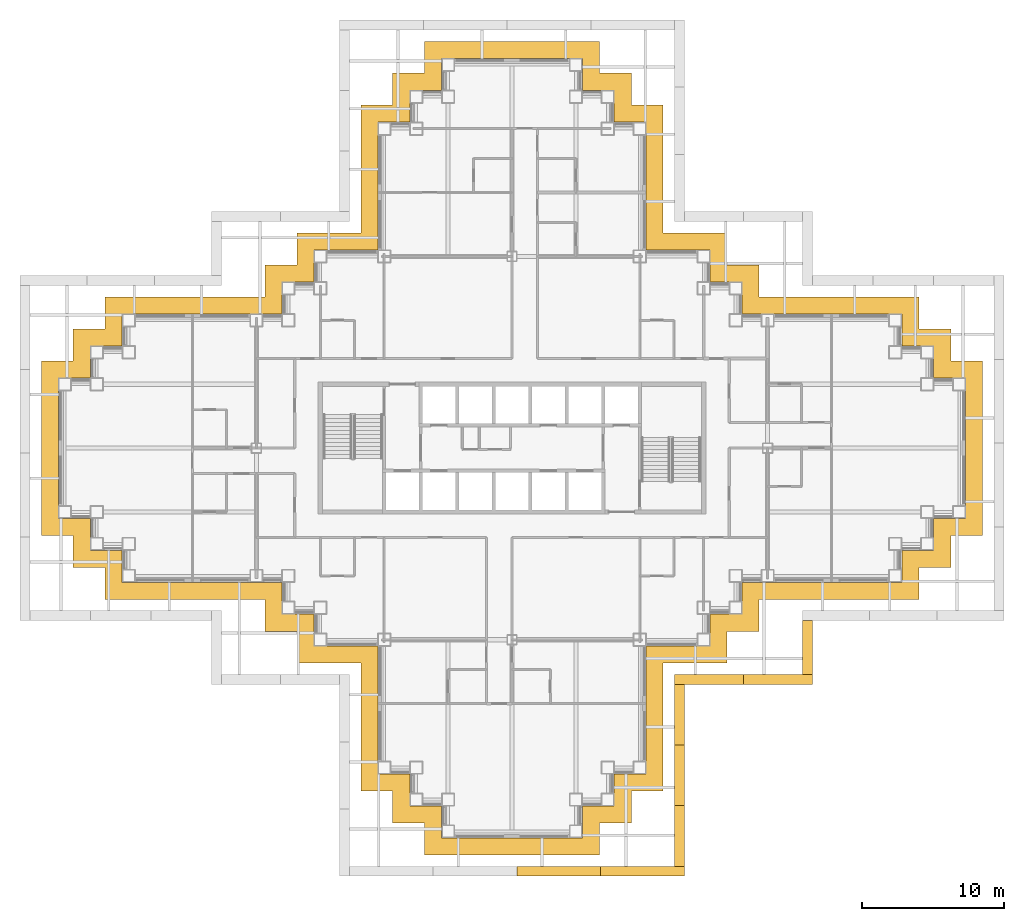
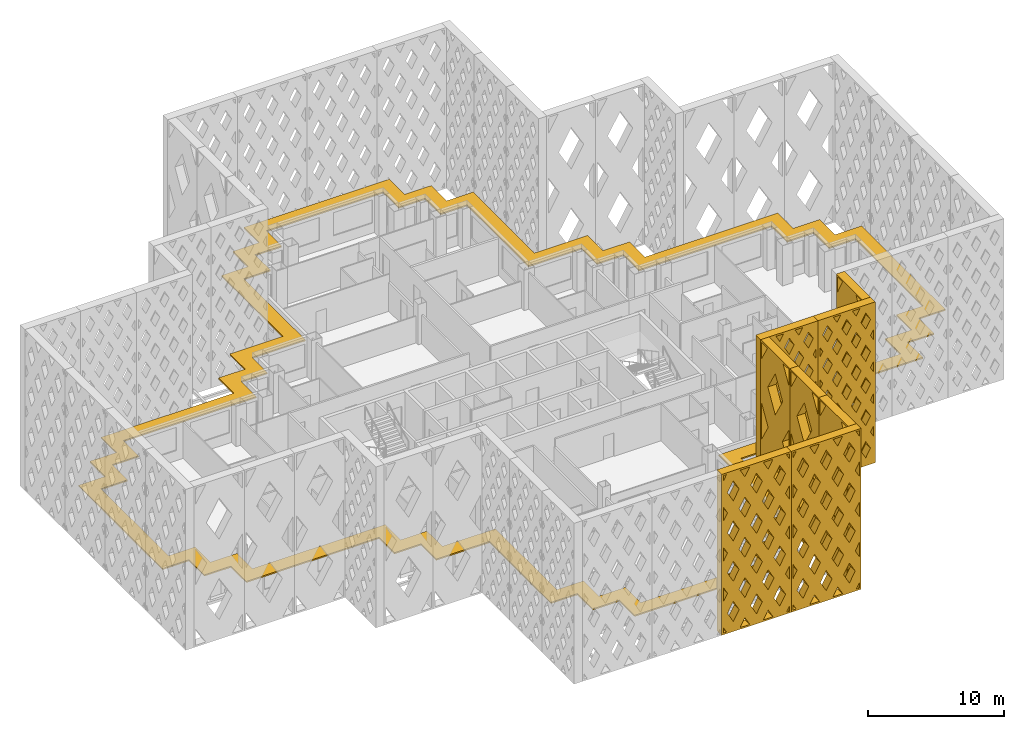
# One storey, part 15 of 21: 9 shading devices.
"""IFC4 building model written with IfcOpenShell, lengths in metres."""

from ifc_helpers import new_model, si_unit, direction, frame, origin, place, context, subcontext, project, spatial, polyline, outline, extrude, material, layer, layer_set, type_object, element, save


model = new_model("IFC4")

# Units and contexts
model_context = context("Model", 3, precision=1e-05, world=origin(), true_north=direction((0.0, 1.0)))
body_context = subcontext(model_context, "Body", "Model", "MODEL_VIEW")
ifc_project = project(units=[si_unit("LENGTHUNIT", "METRE"), si_unit("AREAUNIT", "SQUARE_METRE"), si_unit("VOLUMEUNIT", "CUBIC_METRE"), si_unit("PLANEANGLEUNIT", "RADIAN"), si_unit("MASSUNIT", "GRAM", prefix="KILO")], contexts=[model_context])

# Site, building, storey
site_placement = place(None, origin())
site = spatial("IfcSite", under=ifc_project, at=site_placement, CompositionType="ELEMENT")
building_placement = place(site_placement, origin())
building = spatial("IfcBuilding", under=site, at=building_placement, Name="Caravel Reach Hotel and Residences", CompositionType="ELEMENT")
storey_placement = place(building_placement, frame((0.0, 0.0, 115.199951171875)))
storey = spatial("IfcBuildingStorey", under=building, at=storey_placement, Name="L28", CompositionType="ELEMENT", Elevation=115.199951171875)

# Shading devices
ifc_material_1 = material(Name="Black powder-coated aluminium", Category="aluminium")
shading_device_type_1 = type_object("IfcShadingDeviceType", Name="Diamond lattice screen panel 3800 x 14400", PredefinedType="USERDEFINED", material=ifc_material_1)
shading_device_1_placement = place(storey_placement, frame((51.949951171875, 11.050048828125, 0.0), z_axis=(1.0, 0.0, 0.0), x_axis=(0.0, 1.0, 0.0)))
element("IfcShadingDevice", 1, at=shading_device_1_placement, inside=storey, type_object=shading_device_type_1, Name="Lattice screen L28-L31 5.1", ObjectType="SCREEN", PredefinedType="USERDEFINED", context=body_context, shape_type="SweptSolid", body=[
    extrude(outline(polyline([(0.0, 0.0), (3.800048828125, 0.0), (3.800048828125, 14.39990234375), (0.0, 14.39990234375), (0.0, 0.0)]), holes=[polyline([(0.9013671875, 0.14990234375), (0.14990234375, 1.573486328125), (0.14990234375, 0.14990234375), (0.9013671875, 0.14990234375)]), polyline([(0.98046875, 7.199951171875), (0.14990234375, 8.7734375), (0.14990234375, 5.62646484375), (0.98046875, 7.199951171875)]), polyline([(0.14990234375, 12.826416015625), (0.9013671875, 14.25), (0.14990234375, 14.25), (0.14990234375, 12.826416015625)]), polyline([(1.89990234375, 5.457763671875), (0.91943359375, 3.60009765625), (1.89990234375, 1.7421875), (2.88037109375, 3.60009765625), (1.89990234375, 5.457763671875)]), polyline([(1.89990234375, 12.65771484375), (0.91943359375, 10.800048828125), (1.89990234375, 8.9423828125), (2.88037109375, 10.800048828125), (1.89990234375, 12.65771484375)]), polyline([(3.64990234375, 1.573486328125), (2.898681640625, 0.14990234375), (3.64990234375, 0.14990234375), (3.64990234375, 1.573486328125)]), polyline([(2.819580078125, 7.199951171875), (3.64990234375, 5.62646484375), (3.64990234375, 8.7734375), (2.819580078125, 7.199951171875)]), polyline([(2.898681640625, 14.25), (3.64990234375, 12.826416015625), (3.64990234375, 14.25), (2.898681640625, 14.25)])]), origin(), (0.0, 0.0, 1.0), 0.699951171875),
])
ifc_material_2 = material(Name="Black powder-coated aluminium", Category="aluminium")
shading_device_type_2 = type_object("IfcShadingDeviceType", Name="Diamond lattice screen panel 4267 x 14400", PredefinedType="USERDEFINED", material=ifc_material_2)
for number, where, z_axis, x_axis, name in (
    (2, (42.949951171875, -2.449951171875, 0.0), (1.0, 0.0, 0.0), (0.0, 1.0, 0.0), "Lattice screen L28-L31 3.1"),
    (3, (42.949951171875, 1.816650390625, 0.0), (1.0, 0.0, 0.0), (0.0, 1.0, 0.0), "Lattice screen L28-L31 3.2"),
    (4, (42.949951171875, 6.083251953125, 0.0), (1.0, 0.0, 0.0), (0.0, 1.0, 0.0), "Lattice screen L28-L31 3.3"),
):
    element("IfcShadingDevice", number, at=place(storey_placement, frame(where, z_axis=z_axis, x_axis=x_axis)), inside=storey, type_object=shading_device_type_2, Name=name, ObjectType="SCREEN", PredefinedType="USERDEFINED", context=body_context, shape_type="SweptSolid", body=[
        extrude(outline(polyline([(0.0, 0.0), (4.2666015625, 0.0), (4.2666015625, 14.39990234375), (0.0, 14.39990234375), (0.0, 0.0)]), holes=[polyline([(1.003662109375, 0.14990234375), (0.14990234375, 1.590576171875), (0.14990234375, 0.14990234375), (1.003662109375, 0.14990234375)]), polyline([(1.092529296875, 7.199951171875), (0.14990234375, 8.790771484375), (0.14990234375, 5.609375), (1.092529296875, 7.199951171875)]), polyline([(0.14990234375, 12.809326171875), (1.003662109375, 14.25), (0.14990234375, 14.25), (0.14990234375, 12.809326171875)]), polyline([(2.13330078125, 5.44384765625), (1.040771484375, 3.60009765625), (2.13330078125, 1.756103515625), (3.225830078125, 3.60009765625), (2.13330078125, 5.44384765625)]), polyline([(2.13330078125, 12.643798828125), (1.040771484375, 10.800048828125), (2.13330078125, 8.956298828125), (3.225830078125, 10.800048828125), (2.13330078125, 12.643798828125)]), polyline([(4.11669921875, 1.590576171875), (3.262939453125, 0.14990234375), (4.11669921875, 0.14990234375), (4.11669921875, 1.590576171875)]), polyline([(3.174072265625, 7.199951171875), (4.11669921875, 5.609375), (4.11669921875, 8.790771484375), (3.174072265625, 7.199951171875)]), polyline([(3.262939453125, 14.25), (4.11669921875, 12.809326171875), (4.11669921875, 14.25), (3.262939453125, 14.25)])]), origin(), (0.0, 0.0, 1.0), 0.699951171875),
    ])
ifc_material_3 = material(Name="Black powder-coated aluminium", Category="aluminium")
shading_device_type_3 = type_object("IfcShadingDeviceType", Name="Diamond lattice screen panel 4850 x 14400", PredefinedType="USERDEFINED", material=ifc_material_3)
shading_device_2_placement = place(storey_placement, frame((42.949951171875, 11.050048828125, 0.0), z_axis=(0.0, -1.0, 0.0), x_axis=(1.0, 0.0, 0.0)))
element("IfcShadingDevice", 5, at=shading_device_2_placement, inside=storey, type_object=shading_device_type_3, Name="Lattice screen L28-L31 4.1", ObjectType="SCREEN", PredefinedType="USERDEFINED", context=body_context, shape_type="SweptSolid", body=[
    extrude(outline(polyline([(0.0, 0.0), (4.85009765625, 0.0), (4.85009765625, 14.39990234375), (0.0, 14.39990234375), (0.0, 0.0)]), holes=[polyline([(0.408447265625, 2.8798828125), (0.14990234375, 3.34033203125), (0.14990234375, 2.419677734375), (0.408447265625, 2.8798828125)]), polyline([(0.408447265625, 5.760009765625), (0.14990234375, 6.22021484375), (0.14990234375, 5.2998046875), (0.408447265625, 5.760009765625)]), polyline([(0.408447265625, 8.639892578125), (0.14990234375, 9.100341796875), (0.14990234375, 8.1796875), (0.408447265625, 8.639892578125)]), polyline([(0.408447265625, 11.52001953125), (0.14990234375, 11.980224609375), (0.14990234375, 11.059814453125), (0.408447265625, 11.52001953125)]), polyline([(0.808349609375, 2.16748046875), (0.39990234375, 1.43994140625), (0.808349609375, 0.712646484375), (1.216796875, 1.43994140625), (0.808349609375, 2.16748046875)]), polyline([(0.808349609375, 5.04736328125), (0.39990234375, 4.320068359375), (0.808349609375, 3.592529296875), (1.216796875, 4.320068359375), (0.808349609375, 5.04736328125)]), polyline([(0.808349609375, 7.927490234375), (0.39990234375, 7.199951171875), (0.808349609375, 6.47265625), (1.216796875, 7.199951171875), (0.808349609375, 7.927490234375)]), polyline([(0.808349609375, 10.807373046875), (0.39990234375, 10.080078125), (0.808349609375, 9.3525390625), (1.216796875, 10.080078125), (0.808349609375, 10.807373046875)]), polyline([(0.808349609375, 13.6875), (0.39990234375, 12.9599609375), (0.808349609375, 12.232421875), (1.216796875, 12.9599609375), (0.808349609375, 13.6875)]), polyline([(1.61669921875, 0.7275390625), (1.29248046875, 0.14990234375), (1.94091796875, 0.14990234375), (1.61669921875, 0.7275390625)]), polyline([(1.61669921875, 3.607421875), (1.208251953125, 2.8798828125), (1.61669921875, 2.152587890625), (2.02490234375, 2.8798828125), (1.61669921875, 3.607421875)]), polyline([(1.61669921875, 6.487548828125), (1.208251953125, 5.760009765625), (1.61669921875, 5.032470703125), (2.02490234375, 5.760009765625), (1.61669921875, 6.487548828125)]), polyline([(1.61669921875, 9.367431640625), (1.208251953125, 8.639892578125), (1.61669921875, 7.91259765625), (2.02490234375, 8.639892578125), (1.61669921875, 9.367431640625)]), polyline([(1.61669921875, 12.24755859375), (1.208251953125, 11.52001953125), (1.61669921875, 10.79248046875), (2.02490234375, 11.52001953125), (1.61669921875, 12.24755859375)]), polyline([(1.61669921875, 13.672607421875), (1.94091796875, 14.25), (1.29248046875, 14.25), (1.61669921875, 13.672607421875)]), polyline([(2.425048828125, 2.16748046875), (2.0166015625, 1.43994140625), (2.425048828125, 0.712646484375), (2.833251953125, 1.43994140625), (2.425048828125, 2.16748046875)]), polyline([(2.425048828125, 5.04736328125), (2.0166015625, 4.320068359375), (2.425048828125, 3.592529296875), (2.833251953125, 4.320068359375), (2.425048828125, 5.04736328125)]), polyline([(2.425048828125, 7.927490234375), (2.0166015625, 7.199951171875), (2.425048828125, 6.47265625), (2.833251953125, 7.199951171875), (2.425048828125, 7.927490234375)]), polyline([(2.425048828125, 10.807373046875), (2.0166015625, 10.080078125), (2.425048828125, 9.3525390625), (2.833251953125, 10.080078125), (2.425048828125, 10.807373046875)]), polyline([(2.425048828125, 13.6875), (2.0166015625, 12.9599609375), (2.425048828125, 12.232421875), (2.833251953125, 12.9599609375), (2.425048828125, 13.6875)]), polyline([(3.2333984375, 0.7275390625), (2.9091796875, 0.14990234375), (3.557373046875, 0.14990234375), (3.2333984375, 0.7275390625)]), polyline([(3.2333984375, 3.607421875), (2.824951171875, 2.8798828125), (3.2333984375, 2.152587890625), (3.6416015625, 2.8798828125), (3.2333984375, 3.607421875)]), polyline([(3.2333984375, 6.487548828125), (2.824951171875, 5.760009765625), (3.2333984375, 5.032470703125), (3.6416015625, 5.760009765625), (3.2333984375, 6.487548828125)]), polyline([(3.2333984375, 9.367431640625), (2.824951171875, 8.639892578125), (3.2333984375, 7.91259765625), (3.6416015625, 8.639892578125), (3.2333984375, 9.367431640625)]), polyline([(3.2333984375, 12.24755859375), (2.824951171875, 11.52001953125), (3.2333984375, 10.79248046875), (3.6416015625, 11.52001953125), (3.2333984375, 12.24755859375)]), polyline([(3.2333984375, 13.672607421875), (3.557373046875, 14.25), (2.9091796875, 14.25), (3.2333984375, 13.672607421875)]), polyline([(4.041748046875, 2.16748046875), (3.63330078125, 1.43994140625), (4.041748046875, 0.712646484375), (4.449951171875, 1.43994140625), (4.041748046875, 2.16748046875)]), polyline([(4.041748046875, 5.04736328125), (3.63330078125, 4.320068359375), (4.041748046875, 3.592529296875), (4.449951171875, 4.320068359375), (4.041748046875, 5.04736328125)]), polyline([(4.041748046875, 7.927490234375), (3.63330078125, 7.199951171875), (4.041748046875, 6.47265625), (4.449951171875, 7.199951171875), (4.041748046875, 7.927490234375)]), polyline([(4.041748046875, 10.807373046875), (3.63330078125, 10.080078125), (4.041748046875, 9.3525390625), (4.449951171875, 10.080078125), (4.041748046875, 10.807373046875)]), polyline([(4.041748046875, 13.6875), (3.63330078125, 12.9599609375), (4.041748046875, 12.232421875), (4.449951171875, 12.9599609375), (4.041748046875, 13.6875)]), polyline([(4.441650390625, 2.8798828125), (4.699951171875, 2.419677734375), (4.699951171875, 3.34033203125), (4.441650390625, 2.8798828125)]), polyline([(4.441650390625, 5.760009765625), (4.699951171875, 5.2998046875), (4.699951171875, 6.22021484375), (4.441650390625, 5.760009765625)]), polyline([(4.441650390625, 8.639892578125), (4.699951171875, 8.1796875), (4.699951171875, 9.100341796875), (4.441650390625, 8.639892578125)]), polyline([(4.441650390625, 11.52001953125), (4.699951171875, 11.059814453125), (4.699951171875, 11.980224609375), (4.441650390625, 11.52001953125)])]), origin(), (0.0, 0.0, 1.0), 0.699951171875),
])
shading_device_3_placement = place(storey_placement, frame((47.800048828125, 11.050048828125, 0.0), z_axis=(0.0, -1.0, 0.0), x_axis=(1.0, 0.0, 0.0)))
element("IfcShadingDevice", 6, at=shading_device_3_placement, inside=storey, type_object=shading_device_type_3, Name="Lattice screen L28-L31 4.2", ObjectType="SCREEN", PredefinedType="USERDEFINED", context=body_context, shape_type="SweptSolid", body=[
    extrude(outline(polyline([(0.0, 0.0), (4.85009765625, 0.0), (4.85009765625, 14.39990234375), (0.0, 14.39990234375), (0.0, 0.0)]), holes=[polyline([(0.408447265625, 2.8798828125), (0.14990234375, 3.34033203125), (0.14990234375, 2.419677734375), (0.408447265625, 2.8798828125)]), polyline([(0.408447265625, 5.760009765625), (0.14990234375, 6.22021484375), (0.14990234375, 5.2998046875), (0.408447265625, 5.760009765625)]), polyline([(0.408447265625, 8.639892578125), (0.14990234375, 9.100341796875), (0.14990234375, 8.1796875), (0.408447265625, 8.639892578125)]), polyline([(0.408447265625, 11.52001953125), (0.14990234375, 11.980224609375), (0.14990234375, 11.059814453125), (0.408447265625, 11.52001953125)]), polyline([(0.808349609375, 2.16748046875), (0.39990234375, 1.43994140625), (0.808349609375, 0.712646484375), (1.216796875, 1.43994140625), (0.808349609375, 2.16748046875)]), polyline([(0.808349609375, 5.04736328125), (0.39990234375, 4.320068359375), (0.808349609375, 3.592529296875), (1.216796875, 4.320068359375), (0.808349609375, 5.04736328125)]), polyline([(0.808349609375, 7.927490234375), (0.39990234375, 7.199951171875), (0.808349609375, 6.47265625), (1.216796875, 7.199951171875), (0.808349609375, 7.927490234375)]), polyline([(0.808349609375, 10.807373046875), (0.39990234375, 10.080078125), (0.808349609375, 9.3525390625), (1.216796875, 10.080078125), (0.808349609375, 10.807373046875)]), polyline([(0.808349609375, 13.6875), (0.39990234375, 12.9599609375), (0.808349609375, 12.232421875), (1.216796875, 12.9599609375), (0.808349609375, 13.6875)]), polyline([(1.61669921875, 0.7275390625), (1.29248046875, 0.14990234375), (1.94091796875, 0.14990234375), (1.61669921875, 0.7275390625)]), polyline([(1.61669921875, 3.607421875), (1.208251953125, 2.8798828125), (1.61669921875, 2.152587890625), (2.02490234375, 2.8798828125), (1.61669921875, 3.607421875)]), polyline([(1.61669921875, 6.487548828125), (1.208251953125, 5.760009765625), (1.61669921875, 5.032470703125), (2.02490234375, 5.760009765625), (1.61669921875, 6.487548828125)]), polyline([(1.61669921875, 9.367431640625), (1.208251953125, 8.639892578125), (1.61669921875, 7.91259765625), (2.02490234375, 8.639892578125), (1.61669921875, 9.367431640625)]), polyline([(1.61669921875, 12.24755859375), (1.208251953125, 11.52001953125), (1.61669921875, 10.79248046875), (2.02490234375, 11.52001953125), (1.61669921875, 12.24755859375)]), polyline([(1.61669921875, 13.672607421875), (1.94091796875, 14.25), (1.29248046875, 14.25), (1.61669921875, 13.672607421875)]), polyline([(2.425048828125, 2.16748046875), (2.0166015625, 1.43994140625), (2.425048828125, 0.712646484375), (2.833251953125, 1.43994140625), (2.425048828125, 2.16748046875)]), polyline([(2.425048828125, 5.04736328125), (2.0166015625, 4.320068359375), (2.425048828125, 3.592529296875), (2.833251953125, 4.320068359375), (2.425048828125, 5.04736328125)]), polyline([(2.425048828125, 7.927490234375), (2.0166015625, 7.199951171875), (2.425048828125, 6.47265625), (2.833251953125, 7.199951171875), (2.425048828125, 7.927490234375)]), polyline([(2.425048828125, 10.807373046875), (2.0166015625, 10.080078125), (2.425048828125, 9.3525390625), (2.833251953125, 10.080078125), (2.425048828125, 10.807373046875)]), polyline([(2.425048828125, 13.6875), (2.0166015625, 12.9599609375), (2.425048828125, 12.232421875), (2.833251953125, 12.9599609375), (2.425048828125, 13.6875)]), polyline([(3.2333984375, 0.7275390625), (2.9091796875, 0.14990234375), (3.557373046875, 0.14990234375), (3.2333984375, 0.7275390625)]), polyline([(3.2333984375, 3.607421875), (2.824951171875, 2.8798828125), (3.2333984375, 2.152587890625), (3.6416015625, 2.8798828125), (3.2333984375, 3.607421875)]), polyline([(3.2333984375, 6.487548828125), (2.824951171875, 5.760009765625), (3.2333984375, 5.032470703125), (3.6416015625, 5.760009765625), (3.2333984375, 6.487548828125)]), polyline([(3.2333984375, 9.367431640625), (2.824951171875, 8.639892578125), (3.2333984375, 7.91259765625), (3.6416015625, 8.639892578125), (3.2333984375, 9.367431640625)]), polyline([(3.2333984375, 12.24755859375), (2.824951171875, 11.52001953125), (3.2333984375, 10.79248046875), (3.6416015625, 11.52001953125), (3.2333984375, 12.24755859375)]), polyline([(3.2333984375, 13.672607421875), (3.557373046875, 14.25), (2.9091796875, 14.25), (3.2333984375, 13.672607421875)]), polyline([(4.041748046875, 2.16748046875), (3.63330078125, 1.43994140625), (4.041748046875, 0.712646484375), (4.449951171875, 1.43994140625), (4.041748046875, 2.16748046875)]), polyline([(4.041748046875, 5.04736328125), (3.63330078125, 4.320068359375), (4.041748046875, 3.592529296875), (4.449951171875, 4.320068359375), (4.041748046875, 5.04736328125)]), polyline([(4.041748046875, 7.927490234375), (3.63330078125, 7.199951171875), (4.041748046875, 6.47265625), (4.449951171875, 7.199951171875), (4.041748046875, 7.927490234375)]), polyline([(4.041748046875, 10.807373046875), (3.63330078125, 10.080078125), (4.041748046875, 9.3525390625), (4.449951171875, 10.080078125), (4.041748046875, 10.807373046875)]), polyline([(4.041748046875, 13.6875), (3.63330078125, 12.9599609375), (4.041748046875, 12.232421875), (4.449951171875, 12.9599609375), (4.041748046875, 13.6875)]), polyline([(4.441650390625, 2.8798828125), (4.699951171875, 2.419677734375), (4.699951171875, 3.34033203125), (4.441650390625, 2.8798828125)]), polyline([(4.441650390625, 5.760009765625), (4.699951171875, 5.2998046875), (4.699951171875, 6.22021484375), (4.441650390625, 5.760009765625)]), polyline([(4.441650390625, 8.639892578125), (4.699951171875, 8.1796875), (4.699951171875, 9.100341796875), (4.441650390625, 8.639892578125)]), polyline([(4.441650390625, 11.52001953125), (4.699951171875, 11.059814453125), (4.699951171875, 11.980224609375), (4.441650390625, 11.52001953125)])]), origin(), (0.0, 0.0, 1.0), 0.699951171875),
])
ifc_material_4 = material(Name="Black powder-coated aluminium", Category="aluminium")
shading_device_type_4 = type_object("IfcShadingDeviceType", Name="Diamond lattice screen panel 5900 x 14400", PredefinedType="USERDEFINED", material=ifc_material_4)
shading_device_4_placement = place(storey_placement, frame((31.85009765625, -2.449951171875, 0.0), z_axis=(0.0, -1.0, 0.0), x_axis=(1.0, 0.0, 0.0)))
element("IfcShadingDevice", 7, at=shading_device_4_placement, inside=storey, type_object=shading_device_type_4, Name="Lattice screen L28-L31 2.3", ObjectType="SCREEN", PredefinedType="USERDEFINED", context=body_context, shape_type="SweptSolid", body=[
    extrude(outline(polyline([(0.0, 0.0), (5.89990234375, 0.0), (5.89990234375, 14.39990234375), (0.0, 14.39990234375), (0.0, 0.0)]), holes=[polyline([(0.40966796875, 0.14990234375), (0.14990234375, 0.62548828125), (0.14990234375, 0.14990234375), (0.40966796875, 0.14990234375)]), polyline([(0.49169921875, 3.60009765625), (0.14990234375, 4.2255859375), (0.14990234375, 2.974609375), (0.49169921875, 3.60009765625)]), polyline([(0.49169921875, 7.199951171875), (0.14990234375, 7.825439453125), (0.14990234375, 6.574462890625), (0.49169921875, 7.199951171875)]), polyline([(0.49169921875, 10.800048828125), (0.14990234375, 11.425537109375), (0.14990234375, 10.174560546875), (0.49169921875, 10.800048828125)]), polyline([(0.14990234375, 13.7744140625), (0.40966796875, 14.25), (0.14990234375, 14.25), (0.14990234375, 13.7744140625)]), polyline([(0.9833984375, 2.699951171875), (0.49169921875, 1.800048828125), (0.9833984375, 0.89990234375), (1.47509765625, 1.800048828125), (0.9833984375, 2.699951171875)]), polyline([(0.9833984375, 6.300048828125), (0.49169921875, 5.39990234375), (0.9833984375, 4.5), (1.47509765625, 5.39990234375), (0.9833984375, 6.300048828125)]), polyline([(0.9833984375, 9.900146484375), (0.49169921875, 9.0), (0.9833984375, 8.099853515625), (1.47509765625, 9.0), (0.9833984375, 9.900146484375)]), polyline([(0.9833984375, 13.5), (0.49169921875, 12.60009765625), (0.9833984375, 11.699951171875), (1.47509765625, 12.60009765625), (0.9833984375, 13.5)]), polyline([(1.966552734375, 0.900146484375), (1.556884765625, 0.14990234375), (2.37646484375, 0.14990234375), (1.966552734375, 0.900146484375)]), polyline([(1.966552734375, 4.5), (1.474853515625, 3.60009765625), (1.966552734375, 2.699951171875), (2.458251953125, 3.60009765625), (1.966552734375, 4.5)]), polyline([(1.966552734375, 8.10009765625), (1.474853515625, 7.199951171875), (1.966552734375, 6.300048828125), (2.458251953125, 7.199951171875), (1.966552734375, 8.10009765625)]), polyline([(1.966552734375, 11.699951171875), (1.474853515625, 10.800048828125), (1.966552734375, 9.89990234375), (2.458251953125, 10.800048828125), (1.966552734375, 11.699951171875)]), polyline([(1.966552734375, 13.5), (2.37646484375, 14.25), (1.556884765625, 14.25), (1.966552734375, 13.5)]), polyline([(2.949951171875, 2.699951171875), (2.458251953125, 1.800048828125), (2.949951171875, 0.89990234375), (3.441650390625, 1.800048828125), (2.949951171875, 2.699951171875)]), polyline([(2.949951171875, 6.300048828125), (2.458251953125, 5.39990234375), (2.949951171875, 4.5), (3.441650390625, 5.39990234375), (2.949951171875, 6.300048828125)]), polyline([(2.949951171875, 9.900146484375), (2.458251953125, 9.0), (2.949951171875, 8.099853515625), (3.441650390625, 9.0), (2.949951171875, 9.900146484375)]), polyline([(2.949951171875, 13.5), (2.458251953125, 12.60009765625), (2.949951171875, 11.699951171875), (3.441650390625, 12.60009765625), (2.949951171875, 13.5)]), polyline([(3.933349609375, 0.900146484375), (3.523681640625, 0.14990234375), (4.343017578125, 0.14990234375), (3.933349609375, 0.900146484375)]), polyline([(3.933349609375, 4.5), (3.441650390625, 3.60009765625), (3.933349609375, 2.699951171875), (4.425048828125, 3.60009765625), (3.933349609375, 4.5)]), polyline([(3.933349609375, 8.10009765625), (3.441650390625, 7.199951171875), (3.933349609375, 6.300048828125), (4.425048828125, 7.199951171875), (3.933349609375, 8.10009765625)]), polyline([(3.933349609375, 11.699951171875), (3.441650390625, 10.800048828125), (3.933349609375, 9.89990234375), (4.425048828125, 10.800048828125), (3.933349609375, 11.699951171875)]), polyline([(3.933349609375, 13.5), (4.343017578125, 14.25), (3.523681640625, 14.25), (3.933349609375, 13.5)]), polyline([(4.916748046875, 2.699951171875), (4.425048828125, 1.800048828125), (4.916748046875, 0.89990234375), (5.408447265625, 1.800048828125), (4.916748046875, 2.699951171875)]), polyline([(4.916748046875, 6.300048828125), (4.425048828125, 5.39990234375), (4.916748046875, 4.5), (5.408447265625, 5.39990234375), (4.916748046875, 6.300048828125)]), polyline([(4.916748046875, 9.900146484375), (4.425048828125, 9.0), (4.916748046875, 8.099853515625), (5.408447265625, 9.0), (4.916748046875, 9.900146484375)]), polyline([(4.916748046875, 13.5), (4.425048828125, 12.60009765625), (4.916748046875, 11.699951171875), (5.408447265625, 12.60009765625), (4.916748046875, 13.5)]), polyline([(5.75, 0.62548828125), (5.490234375, 0.14990234375), (5.75, 0.14990234375), (5.75, 0.62548828125)]), polyline([(5.408203125, 3.60009765625), (5.75, 2.974609375), (5.75, 4.2255859375), (5.408203125, 3.60009765625)]), polyline([(5.408203125, 7.199951171875), (5.75, 6.574462890625), (5.75, 7.825439453125), (5.408203125, 7.199951171875)]), polyline([(5.408203125, 10.800048828125), (5.75, 10.174560546875), (5.75, 11.425537109375), (5.408203125, 10.800048828125)]), polyline([(5.490234375, 14.25), (5.75, 13.7744140625), (5.75, 14.25), (5.490234375, 14.25)])]), origin(), (0.0, 0.0, 1.0), 0.699951171875),
])
shading_device_5_placement = place(storey_placement, frame((37.75, -2.449951171875, 0.0), z_axis=(0.0, -1.0, 0.0), x_axis=(1.0, 0.0, 0.0)))
element("IfcShadingDevice", 8, at=shading_device_5_placement, inside=storey, type_object=shading_device_type_4, Name="Lattice screen L28-L31 2.4", ObjectType="SCREEN", PredefinedType="USERDEFINED", context=body_context, shape_type="SweptSolid", body=[
    extrude(outline(polyline([(0.0, 0.0), (5.89990234375, 0.0), (5.89990234375, 14.39990234375), (0.0, 14.39990234375), (0.0, 0.0)]), holes=[polyline([(0.40966796875, 0.14990234375), (0.14990234375, 0.62548828125), (0.14990234375, 0.14990234375), (0.40966796875, 0.14990234375)]), polyline([(0.49169921875, 3.60009765625), (0.14990234375, 4.2255859375), (0.14990234375, 2.974609375), (0.49169921875, 3.60009765625)]), polyline([(0.49169921875, 7.199951171875), (0.14990234375, 7.825439453125), (0.14990234375, 6.574462890625), (0.49169921875, 7.199951171875)]), polyline([(0.49169921875, 10.800048828125), (0.14990234375, 11.425537109375), (0.14990234375, 10.174560546875), (0.49169921875, 10.800048828125)]), polyline([(0.14990234375, 13.7744140625), (0.40966796875, 14.25), (0.14990234375, 14.25), (0.14990234375, 13.7744140625)]), polyline([(0.9833984375, 2.699951171875), (0.49169921875, 1.800048828125), (0.9833984375, 0.89990234375), (1.47509765625, 1.800048828125), (0.9833984375, 2.699951171875)]), polyline([(0.9833984375, 6.300048828125), (0.49169921875, 5.39990234375), (0.9833984375, 4.5), (1.47509765625, 5.39990234375), (0.9833984375, 6.300048828125)]), polyline([(0.9833984375, 9.900146484375), (0.49169921875, 9.0), (0.9833984375, 8.099853515625), (1.47509765625, 9.0), (0.9833984375, 9.900146484375)]), polyline([(0.9833984375, 13.5), (0.49169921875, 12.60009765625), (0.9833984375, 11.699951171875), (1.47509765625, 12.60009765625), (0.9833984375, 13.5)]), polyline([(1.966552734375, 0.900146484375), (1.556884765625, 0.14990234375), (2.37646484375, 0.14990234375), (1.966552734375, 0.900146484375)]), polyline([(1.966552734375, 4.5), (1.474853515625, 3.60009765625), (1.966552734375, 2.699951171875), (2.458251953125, 3.60009765625), (1.966552734375, 4.5)]), polyline([(1.966552734375, 8.10009765625), (1.474853515625, 7.199951171875), (1.966552734375, 6.300048828125), (2.458251953125, 7.199951171875), (1.966552734375, 8.10009765625)]), polyline([(1.966552734375, 11.699951171875), (1.474853515625, 10.800048828125), (1.966552734375, 9.89990234375), (2.458251953125, 10.800048828125), (1.966552734375, 11.699951171875)]), polyline([(1.966552734375, 13.5), (2.37646484375, 14.25), (1.556884765625, 14.25), (1.966552734375, 13.5)]), polyline([(2.949951171875, 2.699951171875), (2.458251953125, 1.800048828125), (2.949951171875, 0.89990234375), (3.441650390625, 1.800048828125), (2.949951171875, 2.699951171875)]), polyline([(2.949951171875, 6.300048828125), (2.458251953125, 5.39990234375), (2.949951171875, 4.5), (3.441650390625, 5.39990234375), (2.949951171875, 6.300048828125)]), polyline([(2.949951171875, 9.900146484375), (2.458251953125, 9.0), (2.949951171875, 8.099853515625), (3.441650390625, 9.0), (2.949951171875, 9.900146484375)]), polyline([(2.949951171875, 13.5), (2.458251953125, 12.60009765625), (2.949951171875, 11.699951171875), (3.441650390625, 12.60009765625), (2.949951171875, 13.5)]), polyline([(3.933349609375, 0.900146484375), (3.523681640625, 0.14990234375), (4.343017578125, 0.14990234375), (3.933349609375, 0.900146484375)]), polyline([(3.933349609375, 4.5), (3.441650390625, 3.60009765625), (3.933349609375, 2.699951171875), (4.425048828125, 3.60009765625), (3.933349609375, 4.5)]), polyline([(3.933349609375, 8.10009765625), (3.441650390625, 7.199951171875), (3.933349609375, 6.300048828125), (4.425048828125, 7.199951171875), (3.933349609375, 8.10009765625)]), polyline([(3.933349609375, 11.699951171875), (3.441650390625, 10.800048828125), (3.933349609375, 9.89990234375), (4.425048828125, 10.800048828125), (3.933349609375, 11.699951171875)]), polyline([(3.933349609375, 13.5), (4.343017578125, 14.25), (3.523681640625, 14.25), (3.933349609375, 13.5)]), polyline([(4.916748046875, 2.699951171875), (4.425048828125, 1.800048828125), (4.916748046875, 0.89990234375), (5.408447265625, 1.800048828125), (4.916748046875, 2.699951171875)]), polyline([(4.916748046875, 6.300048828125), (4.425048828125, 5.39990234375), (4.916748046875, 4.5), (5.408447265625, 5.39990234375), (4.916748046875, 6.300048828125)]), polyline([(4.916748046875, 9.900146484375), (4.425048828125, 9.0), (4.916748046875, 8.099853515625), (5.408447265625, 9.0), (4.916748046875, 9.900146484375)]), polyline([(4.916748046875, 13.5), (4.425048828125, 12.60009765625), (4.916748046875, 11.699951171875), (5.408447265625, 12.60009765625), (4.916748046875, 13.5)]), polyline([(5.75, 0.62548828125), (5.490234375, 0.14990234375), (5.75, 0.14990234375), (5.75, 0.62548828125)]), polyline([(5.408203125, 3.60009765625), (5.75, 2.974609375), (5.75, 4.2255859375), (5.408203125, 3.60009765625)]), polyline([(5.408203125, 7.199951171875), (5.75, 6.574462890625), (5.75, 7.825439453125), (5.408203125, 7.199951171875)]), polyline([(5.408203125, 10.800048828125), (5.75, 10.174560546875), (5.75, 11.425537109375), (5.408203125, 10.800048828125)]), polyline([(5.490234375, 14.25), (5.75, 13.7744140625), (5.75, 14.25), (5.490234375, 14.25)])]), origin(), (0.0, 0.0, 1.0), 0.699951171875),
])
ifc_material_5 = material(Name="Black powder-coated aluminium", Category="aluminium")
ifc_layer = layer(ifc_material_5, 0.1201171875)
ifc_layer_set = layer_set([ifc_layer], Name="SS1 Sunshade band 1200")
shading_device_type_5 = type_object("IfcShadingDeviceType", Name="SS1 Sunshade band 1200", PredefinedType="USERDEFINED", material=ifc_layer_set)
shading_device_6_placement = place(storey_placement, frame((0.0, 0.0, 3.0400390625)))
element("IfcShadingDevice", 9, at=shading_device_6_placement, inside=storey, type_object=shading_device_type_5, Name="Sunshade L28 1", ObjectType="SUNSHADE", PredefinedType="USERDEFINED", context=body_context, shape_type="SweptSolid", body=[
    extrude(outline(polyline([(20.85009765625, 11.85009765625), (20.85009765625, 2.85009765625), (23.10009765625, 2.85009765625), (23.10009765625, 0.60009765625), (25.35009765625, 0.60009765625), (25.35009765625, -1.64990234375), (37.64990234375, -1.64990234375), (37.64990234375, 0.60009765625), (39.89990234375, 0.60009765625), (39.89990234375, 2.85009765625), (42.14990234375, 2.85009765625), (42.14990234375, 11.85009765625), (46.64990234375, 11.85009765625), (46.64990234375, 14.10009765625), (48.89990234375, 14.10009765625), (48.89990234375, 16.35009765625), (60.14990234375, 16.35009765625), (60.14990234375, 18.60009765625), (62.39990234375, 18.60009765625), (62.39990234375, 20.85009765625), (64.64990234375, 20.85009765625), (64.64990234375, 33.14990234375), (62.39990234375, 33.14990234375), (62.39990234375, 35.39990234375), (60.14990234375, 35.39990234375), (60.14990234375, 37.64990234375), (48.89990234375, 37.64990234375), (48.89990234375, 39.89990234375), (46.64990234375, 39.89990234375), (46.64990234375, 42.14990234375), (42.14990234375, 42.14990234375), (42.14990234375, 51.14990234375), (39.89990234375, 51.14990234375), (39.89990234375, 53.39990234375), (37.64990234375, 53.39990234375), (37.64990234375, 55.64990234375), (25.35009765625, 55.64990234375), (25.35009765625, 53.39990234375), (23.10009765625, 53.39990234375), (23.10009765625, 51.14990234375), (20.85009765625, 51.14990234375), (20.85009765625, 42.14990234375), (16.35009765625, 42.14990234375), (16.35009765625, 39.89990234375), (14.10009765625, 39.89990234375), (14.10009765625, 37.64990234375), (2.85009765625, 37.64990234375), (2.85009765625, 35.39990234375), (0.60009765625, 35.39990234375), (0.60009765625, 33.14990234375), (-1.64990234375, 33.14990234375), (-1.64990234375, 20.85009765625), (0.60009765625, 20.85009765625), (0.60009765625, 18.60009765625), (2.85009765625, 18.60009765625), (2.85009765625, 16.35009765625), (14.10009765625, 16.35009765625), (14.10009765625, 14.10009765625), (16.35009765625, 14.10009765625), (16.35009765625, 11.85009765625), (20.85009765625, 11.85009765625)]), holes=[polyline([(24.300048828125, 4.050048828125), (22.050048828125, 4.050048828125), (22.050048828125, 13.050048828125), (17.550048828125, 13.050048828125), (17.550048828125, 15.300048828125), (15.300048828125, 15.300048828125), (15.300048828125, 17.550048828125), (4.050048828125, 17.550048828125), (4.050048828125, 19.800048828125), (1.800048828125, 19.800048828125), (1.800048828125, 22.050048828125), (-0.449951171875, 22.050048828125), (-0.449951171875, 31.949951171875), (1.800048828125, 31.949951171875), (1.800048828125, 34.199951171875), (4.050048828125, 34.199951171875), (4.050048828125, 36.449951171875), (15.300048828125, 36.449951171875), (15.300048828125, 38.699951171875), (17.550048828125, 38.699951171875), (17.550048828125, 40.949951171875), (22.050048828125, 40.949951171875), (22.050048828125, 49.949951171875), (24.300048828125, 49.949951171875), (24.300048828125, 52.199951171875), (26.550048828125, 52.199951171875), (26.550048828125, 54.449951171875), (36.449951171875, 54.449951171875), (36.449951171875, 52.199951171875), (38.699951171875, 52.199951171875), (38.699951171875, 49.949951171875), (40.949951171875, 49.949951171875), (40.949951171875, 40.949951171875), (45.449951171875, 40.949951171875), (45.449951171875, 38.699951171875), (47.699951171875, 38.699951171875), (47.699951171875, 36.449951171875), (58.949951171875, 36.449951171875), (58.949951171875, 34.199951171875), (61.199951171875, 34.199951171875), (61.199951171875, 31.949951171875), (63.449951171875, 31.949951171875), (63.449951171875, 22.050048828125), (61.199951171875, 22.050048828125), (61.199951171875, 19.800048828125), (58.949951171875, 19.800048828125), (58.949951171875, 17.550048828125), (47.699951171875, 17.550048828125), (47.699951171875, 15.300048828125), (45.449951171875, 15.300048828125), (45.449951171875, 13.050048828125), (40.949951171875, 13.050048828125), (40.949951171875, 4.050048828125), (38.699951171875, 4.050048828125), (38.699951171875, 1.800048828125), (36.449951171875, 1.800048828125), (36.449951171875, -0.449951171875), (26.550048828125, -0.449951171875), (26.550048828125, 1.800048828125), (24.300048828125, 1.800048828125), (24.300048828125, 4.050048828125)])]), origin(), (0.0, 0.0, 1.0), 0.1201171875),
])

save(model, "model.ifc")
